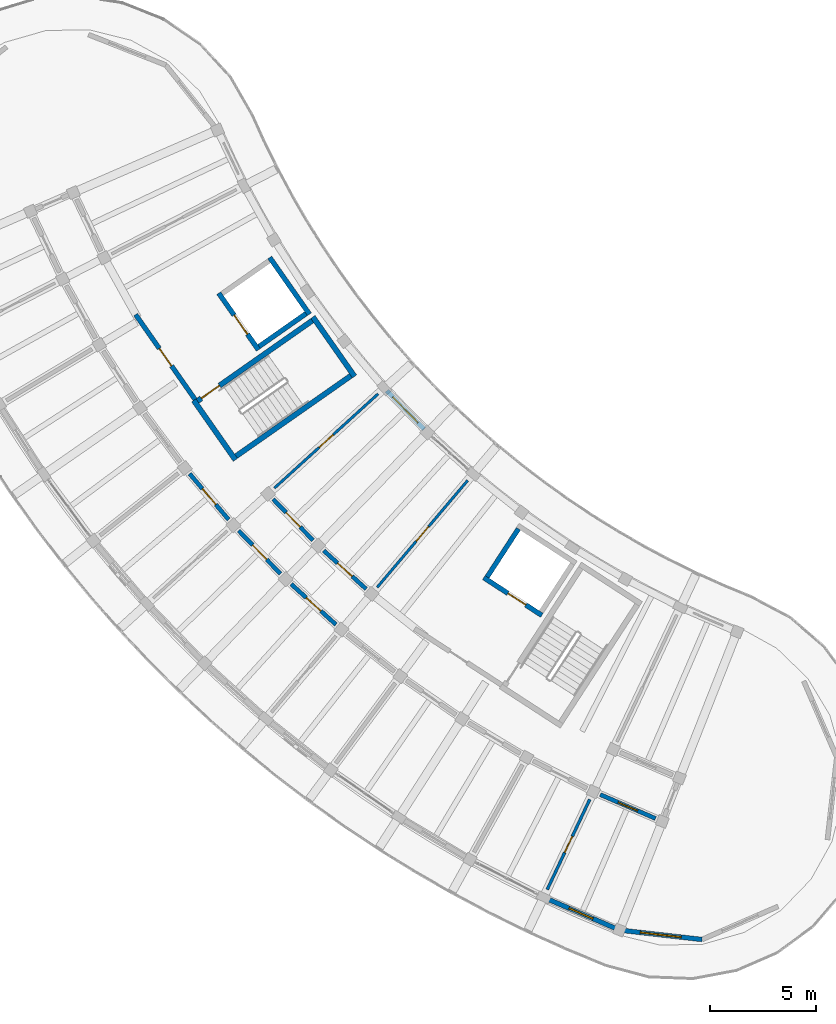
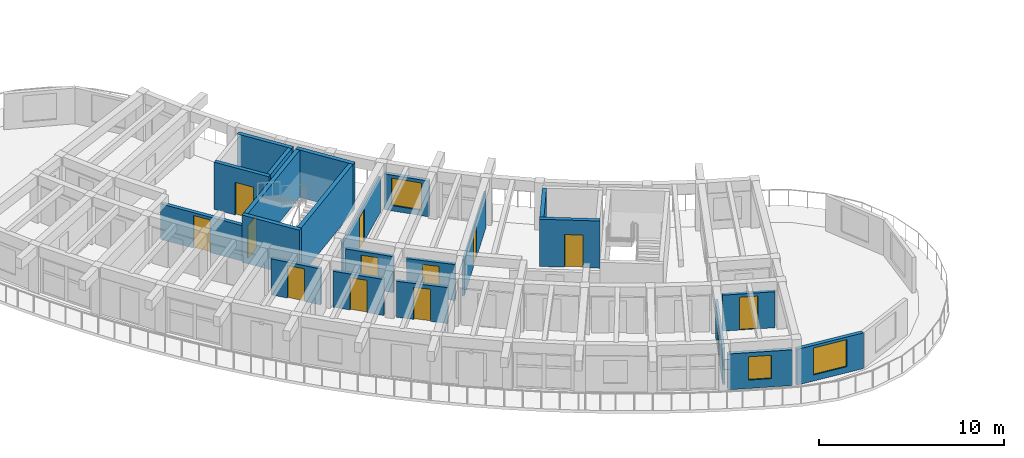
# One storey, part 34 of 62: 22 walls, 13 doors, 3 windows, 16 openings.
"""IFC4 building model written with IfcOpenShell, lengths in metres."""

from ifc_helpers import new_model, si_unit, direction, frame, frame_2d, origin, place, context, subcontext, project, spatial, rectangle, extrude, material, layer, layer_set, type_object, element, fill, save


model = new_model("IFC4")

# Units and contexts
model_context = context("Model", 3, precision=1e-05, world=origin(), true_north=direction((0.0, 1.0)))
body_context = subcontext(model_context, "Body", "Model", "MODEL_VIEW")
ifc_project = project(units=[si_unit("LENGTHUNIT", "METRE"), si_unit("AREAUNIT", "SQUARE_METRE"), si_unit("VOLUMEUNIT", "CUBIC_METRE"), si_unit("PLANEANGLEUNIT", "RADIAN"), si_unit("MASSUNIT", "GRAM", prefix="KILO")], contexts=[model_context])

# Site, building, storey
site_placement = place(None, origin())
site = spatial("IfcSite", under=ifc_project, at=site_placement, CompositionType="ELEMENT")
building_placement = place(site_placement, origin())
building = spatial("IfcBuilding", under=site, at=building_placement, Name="Tanwirah Colonnade Gardens", CompositionType="ELEMENT")
storey_placement = place(building_placement, frame((0.0, 0.0, 32.360107421875)))
storey = spatial("IfcBuildingStorey", under=building, at=storey_placement, Name="L09", CompositionType="ELEMENT", Elevation=32.360107421875)

# Wall, opening, window
ifc_material_1 = material(Name="Limestone architectural precast concrete C40/50", Category="masonry")
ifc_layer_1 = layer(ifc_material_1, 0.219970703125)
ifc_layer_set_1 = layer_set([ifc_layer_1], Name="Limestone architectural precast concrete C40/50")
wall_type_1 = type_object("IfcWallType", Name="EW-PC220", PredefinedType="SOLIDWALL", material=ifc_layer_set_1)
wall_1_placement = place(storey_placement, frame((32.212158203125, 34.494873046875, 0.0), z_axis=(0.0, 0.0, 1.0), x_axis=(0.696216978746, -0.717831399777, 0.0)))
wall_1 = element("IfcWall", 1, at=wall_1_placement, inside=storey, type_object=wall_type_1, Name="Block C L09 IN Precast Facade Wall 7", PredefinedType="SOLIDWALL", context=body_context, shape_type="SweptSolid", body=[
    extrude(rectangle(XDim=2.518798828125, YDim=0.219970703125, at=frame_2d((1.25927734375, 0.0))), origin(), (0.0, 0.0, 1.0), 2.35498046875),
])
opening_1_placement = place(wall_1_placement, frame((0.409423828125, 0.0, 0.35009765625)))
opening_1 = element("IfcOpeningElement", 2, at=opening_1_placement, cuts=wall_1, Name="Opening WIN-T12", PredefinedType="OPENING", context=body_context, shape_type="SweptSolid", body=[
    extrude(rectangle(XDim=1.699951171875, YDim=1.800048828125, at=frame_2d((0.85009765625, 0.89990234375))), frame((0.0, 0.119873046875, 0.0), z_axis=(0.0, -1.0, 0.0), x_axis=(1.0, 0.0, 0.0)), (0.0, 0.0, 1.0), 0.239990234375),
])
ifc_material_2 = material(Name="Thermally broken bronze aluminium and solar low-E double glazing", Category="aluminium")
window_type_1 = type_object("IfcWindowType", Name="WIN-T12", PartitioningType="TRIPLE_PANEL_VERTICAL", PredefinedType="WINDOW", material=ifc_material_2)
window_1_placement = place(opening_1_placement, origin())
window_1 = element("IfcWindow", 3, at=window_1_placement, inside=storey, type_object=window_type_1, Name="Facade window C-L09-IN-07", OverallHeight=1.800048828125, OverallWidth=1.699951171875, PartitioningType="SINGLE_PANEL", PredefinedType="WINDOW", context=body_context, shape_type="SweptSolid", body=[
    extrude(rectangle(XDim=1.699951171875, YDim=1.800048828125, at=frame_2d((0.85009765625, 0.89990234375))), frame((0.0, 0.030029296875, 0.0), z_axis=(0.0, -1.0, 0.0), x_axis=(1.0, 0.0, 0.0)), (0.0, 0.0, 1.0), 0.06005859375),
])
fill(opening_1, window_1)

wall_2_placement = place(storey_placement, frame((39.749267578125, 10.57421875, 0.0), z_axis=(0.0, 0.0, 1.0), x_axis=(0.917923514364, -0.396757384024, 0.0)))
wall_2 = element("IfcWall", 4, at=wall_2_placement, inside=storey, type_object=wall_type_1, Name="Block C L09 OUT Precast Facade Wall 13", PredefinedType="SOLIDWALL", context=body_context, shape_type="SweptSolid", body=[
    extrude(rectangle(XDim=3.5068359375, YDim=0.219970703125, at=frame_2d((1.75341796875, 0.0))), origin(), (0.0, 0.0, 1.0), 2.35498046875),
])
opening_2_placement = place(wall_2_placement, frame((1.13330078125, 0.0, 0.550048828125)))
opening_2 = element("IfcOpeningElement", 5, at=opening_2_placement, cuts=wall_2, Name="Opening WIN-U03", PredefinedType="OPENING", context=body_context, shape_type="SweptSolid", body=[
    extrude(rectangle(XDim=1.239990234375, YDim=1.534912109375, at=frame_2d((0.6201171875, 0.767578125))), frame((0.0, 0.119873046875, 0.0), z_axis=(0.0, -1.0, 0.0), x_axis=(1.0, 0.0, 0.0)), (0.0, 0.0, 1.0), 0.239990234375),
])
window_type_2 = type_object("IfcWindowType", Name="WIN-U03", PartitioningType="DOUBLE_PANEL_VERTICAL", PredefinedType="WINDOW", material=ifc_material_2)
window_2_placement = place(opening_2_placement, origin())
window_2 = element("IfcWindow", 6, at=window_2_placement, inside=storey, type_object=window_type_2, Name="Facade window C-L09-OUT-13", OverallHeight=1.534912109375, OverallWidth=1.239990234375, PartitioningType="SINGLE_PANEL", PredefinedType="WINDOW", context=body_context, shape_type="SweptSolid", body=[
    extrude(rectangle(XDim=1.239990234375, YDim=1.534912109375, at=frame_2d((0.6201171875, 0.767578125))), frame((0.0, 0.030029296875, 0.0), z_axis=(0.0, -1.0, 0.0), x_axis=(1.0, 0.0, 0.0)), (0.0, 0.0, 1.0), 0.06005859375),
])
fill(opening_2, window_2)

wall_3_placement = place(storey_placement, frame((47.057861328125, 8.651123046875, 0.0), z_axis=(0.0, 0.0, 1.0), x_axis=(-0.993565852845, 0.113255887533, 0.0)))
wall_3 = element("IfcWall", 7, at=wall_3_placement, inside=storey, type_object=wall_type_1, Name="Block C L09 END Rounded End Wall 5", PredefinedType="SOLIDWALL", context=body_context, shape_type="SweptSolid", body=[
    extrude(rectangle(XDim=3.908203125, YDim=0.219970703125, at=frame_2d((1.9541015625, 0.0))), origin(), (0.0, 0.0, 1.0), 2.35498046875),
])
opening_3_placement = place(wall_3_placement, frame((0.97900390625, 0.0, 0.39990234375)))
opening_3 = element("IfcOpeningElement", 8, at=opening_3_placement, cuts=wall_3, Name="Opening WIN-END2", PredefinedType="OPENING", context=body_context, shape_type="SweptSolid", body=[
    extrude(rectangle(XDim=1.949951171875, YDim=1.780029296875, at=frame_2d((0.97509765625, 0.89013671875))), frame((0.0, 0.119873046875, 0.0), z_axis=(0.0, -1.0, 0.0), x_axis=(1.0, 0.0, 0.0)), (0.0, 0.0, 1.0), 0.239990234375),
])
window_type_3 = type_object("IfcWindowType", Name="WIN-END2", PartitioningType="TRIPLE_PANEL_VERTICAL", PredefinedType="WINDOW", material=ifc_material_2)
window_3_placement = place(opening_3_placement, origin())
window_3 = element("IfcWindow", 9, at=window_3_placement, inside=storey, type_object=window_type_3, Name="Rounded corner window C-L09-END-5", OverallHeight=1.780029296875, OverallWidth=1.949951171875, PartitioningType="SINGLE_PANEL", PredefinedType="WINDOW", context=body_context, shape_type="SweptSolid", body=[
    extrude(rectangle(XDim=1.949951171875, YDim=1.780029296875, at=frame_2d((0.97509765625, 0.89013671875))), frame((0.0, 0.030029296875, 0.0), z_axis=(0.0, -1.0, 0.0), x_axis=(1.0, 0.0, 0.0)), (0.0, 0.0, 1.0), 0.06005859375),
])
fill(opening_3, window_3)

# Wall, opening, door
ifc_material_3 = material(Name="Precast concrete C40/50", Category="concrete")
ifc_layer_2 = layer(ifc_material_3, 0.195068359375)
ifc_layer_set_2 = layer_set([ifc_layer_2], Name="Precast concrete C40/50")
wall_type_2 = type_object("IfcWallType", Name="IW-CORR195", PredefinedType="PARTITIONING", material=ifc_layer_set_2)
wall_4_placement = place(storey_placement, frame((22.9267578125, 30.58642578125, 0.0), z_axis=(0.0, 0.0, 1.0), x_axis=(0.64778830669, -0.761820392032, 0.0)))
wall_4 = element("IfcWall", 10, at=wall_4_placement, inside=storey, type_object=wall_type_2, Name="Block C L09 OUT Corridor Wall 6", PredefinedType="PARTITIONING", context=body_context, shape_type="SweptSolid", body=[
    extrude(rectangle(XDim=2.8369140625, YDim=0.195068359375, at=frame_2d((1.41845703125, 0.0))), origin(), (0.0, 0.0, 1.0), 2.369873046875),
])
opening_4_placement = place(wall_4_placement, frame((0.93359375, 0.0, 0.0)))
opening_4 = element("IfcOpeningElement", 11, at=opening_4_placement, cuts=wall_4, Name="Opening L09-AD1609", PredefinedType="OPENING", context=body_context, shape_type="SweptSolid", body=[
    extrude(rectangle(XDim=0.969970703125, YDim=2.14990234375, at=frame_2d((0.48486328125, 1.074951171875))), frame((0.0, 0.107421875, 0.0), z_axis=(0.0, -1.0, 0.0), x_axis=(1.0, 0.0, 0.0)), (0.0, 0.0, 1.0), 0.215087890625),
])
ifc_material_4 = material(Name="Solid oak fire-resisting apartment entrance door")
door_type_1 = type_object("IfcDoorType", Name="ID-FLT097", OperationType="NOTDEFINED", PredefinedType="DOOR", material=ifc_material_4)
door_1_placement = place(opening_4_placement, origin())
door_1 = element("IfcDoor", 12, at=door_1_placement, inside=storey, type_object=door_type_1, Name="Apartment corridor door L09-AD1609", OperationType="SINGLE_SWING_RIGHT", OverallHeight=2.14990234375, OverallWidth=0.969970703125, PredefinedType="DOOR", context=body_context, shape_type="SweptSolid", body=[
    extrude(rectangle(XDim=0.969970703125, YDim=2.14990234375, at=frame_2d((0.48486328125, 1.074951171875))), frame((0.0, 0.02490234375, 0.0), z_axis=(0.0, -1.0, 0.0), x_axis=(1.0, 0.0, 0.0)), (0.0, 0.0, 1.0), 0.050048828125),
])
fill(opening_4, door_1)

wall_5_placement = place(storey_placement, frame((25.23486328125, 27.9072265625, 0.0), z_axis=(0.0, 0.0, 1.0), x_axis=(0.696223786753, -0.717824796701, 0.0)))
wall_5 = element("IfcWall", 13, at=wall_5_placement, inside=storey, type_object=wall_type_2, Name="Block C L09 OUT Corridor Wall 7", PredefinedType="PARTITIONING", context=body_context, shape_type="SweptSolid", body=[
    extrude(rectangle(XDim=2.8369140625, YDim=0.195068359375, at=frame_2d((1.41845703125, 0.0))), origin(), (0.0, 0.0, 1.0), 2.369873046875),
])
opening_5_placement = place(wall_5_placement, frame((0.943603515625, 0.0, 0.0)))
opening_5 = element("IfcOpeningElement", 14, at=opening_5_placement, cuts=wall_5, Name="Opening L09-AD1612", PredefinedType="OPENING", context=body_context, shape_type="SweptSolid", body=[
    extrude(rectangle(XDim=0.949951171875, YDim=2.1298828125, at=frame_2d((0.47509765625, 1.06494140625))), frame((0.0, 0.107421875, 0.0), z_axis=(0.0, -1.0, 0.0), x_axis=(1.0, 0.0, 0.0)), (0.0, 0.0, 1.0), 0.215087890625),
])
door_type_2 = type_object("IfcDoorType", Name="ID-FLT095", OperationType="NOTDEFINED", PredefinedType="DOOR", material=ifc_material_4)
door_2_placement = place(opening_5_placement, origin())
door_2 = element("IfcDoor", 15, at=door_2_placement, inside=storey, type_object=door_type_2, Name="Apartment corridor door L09-AD1612", OperationType="SINGLE_SWING_LEFT", OverallHeight=2.1298828125, OverallWidth=0.949951171875, PredefinedType="DOOR", context=body_context, shape_type="SweptSolid", body=[
    extrude(rectangle(XDim=0.949951171875, YDim=2.1298828125, at=frame_2d((0.47509765625, 1.06494140625))), frame((0.0, 0.02490234375, 0.0), z_axis=(0.0, -1.0, 0.0), x_axis=(1.0, 0.0, 0.0)), (0.0, 0.0, 1.0), 0.050048828125),
])
fill(opening_5, door_2)

wall_6_placement = place(storey_placement, frame((26.86328125, 29.386474609375, 0.0), z_axis=(0.0, 0.0, 1.0), x_axis=(0.696236443412, -0.717812520694, 0.0)))
wall_6 = element("IfcWall", 16, at=wall_6_placement, inside=storey, type_object=wall_type_2, Name="Block C L09 IN Corridor Wall 7", PredefinedType="PARTITIONING", context=body_context, shape_type="SweptSolid", body=[
    extrude(rectangle(XDim=2.693115234375, YDim=0.195068359375, at=frame_2d((1.3466796875, 0.0))), origin(), (0.0, 0.0, 1.0), 2.369873046875),
])
opening_6_placement = place(wall_6_placement, frame((0.87158203125, 0.0, 0.0)))
opening_6 = element("IfcOpeningElement", 17, at=opening_6_placement, cuts=wall_6, Name="Opening L09-AD1613", PredefinedType="OPENING", context=body_context, shape_type="SweptSolid", body=[
    extrude(rectangle(XDim=0.949951171875, YDim=2.1298828125, at=frame_2d((0.47509765625, 1.06494140625))), frame((0.0, 0.107421875, 0.0), z_axis=(0.0, -1.0, 0.0), x_axis=(1.0, 0.0, 0.0)), (0.0, 0.0, 1.0), 0.215087890625),
])
door_3_placement = place(opening_6_placement, origin())
door_3 = element("IfcDoor", 18, at=door_3_placement, inside=storey, type_object=door_type_2, Name="Apartment corridor door L09-AD1613", OperationType="SINGLE_SWING_RIGHT", OverallHeight=2.1298828125, OverallWidth=0.949951171875, PredefinedType="DOOR", context=body_context, shape_type="SweptSolid", body=[
    extrude(rectangle(XDim=0.949951171875, YDim=2.1298828125, at=frame_2d((0.47509765625, 1.06494140625))), frame((0.0, 0.02490234375, 0.0), z_axis=(0.0, -1.0, 0.0), x_axis=(1.0, 0.0, 0.0)), (0.0, 0.0, 1.0), 0.050048828125),
])
fill(opening_6, door_3)

wall_7_placement = place(storey_placement, frame((27.71337890625, 25.385009765625, 0.0), z_axis=(0.0, 0.0, 1.0), x_axis=(0.741631592147, -0.670807410163, 0.0)))
wall_7 = element("IfcWall", 19, at=wall_7_placement, inside=storey, type_object=wall_type_2, Name="Block C L09 OUT Corridor Wall 8", PredefinedType="PARTITIONING", context=body_context, shape_type="SweptSolid", body=[
    extrude(rectangle(XDim=2.8369140625, YDim=0.195068359375, at=frame_2d((1.41845703125, 0.0))), origin(), (0.0, 0.0, 1.0), 2.369873046875),
])
opening_7_placement = place(wall_7_placement, frame((0.95361328125, 0.0, 0.0)))
opening_7 = element("IfcOpeningElement", 20, at=opening_7_placement, cuts=wall_7, Name="Opening L09-AD1614", PredefinedType="OPENING", context=body_context, shape_type="SweptSolid", body=[
    extrude(rectangle(XDim=0.929931640625, YDim=2.1201171875, at=frame_2d((0.46484375, 1.06005859375))), frame((0.0, 0.107421875, 0.0), z_axis=(0.0, -1.0, 0.0), x_axis=(1.0, 0.0, 0.0)), (0.0, 0.0, 1.0), 0.215087890625),
])
door_type_3 = type_object("IfcDoorType", Name="ID-FLT093", OperationType="NOTDEFINED", PredefinedType="DOOR", material=ifc_material_4)
door_4_placement = place(opening_7_placement, origin())
door_4 = element("IfcDoor", 21, at=door_4_placement, inside=storey, type_object=door_type_3, Name="Apartment corridor door L09-AD1614", OperationType="SINGLE_SWING_RIGHT", OverallHeight=2.1201171875, OverallWidth=0.929931640625, PredefinedType="DOOR", context=body_context, shape_type="SweptSolid", body=[
    extrude(rectangle(XDim=0.929931640625, YDim=2.1201171875, at=frame_2d((0.46484375, 1.06005859375))), frame((0.0, 0.02490234375, 0.0), z_axis=(0.0, -1.0, 0.0), x_axis=(1.0, 0.0, 0.0)), (0.0, 0.0, 1.0), 0.050048828125),
])
fill(opening_7, door_4)

wall_8_placement = place(storey_placement, frame((29.241455078125, 26.967529296875, 0.0), z_axis=(0.0, 0.0, 1.0), x_axis=(0.74166462946, -0.670770882945, 0.0)))
wall_8 = element("IfcWall", 22, at=wall_8_placement, inside=storey, type_object=wall_type_2, Name="Block C L09 IN Corridor Wall 8", PredefinedType="PARTITIONING", context=body_context, shape_type="SweptSolid", body=[
    extrude(rectangle(XDim=2.693115234375, YDim=0.195068359375, at=frame_2d((1.3466796875, 0.0))), origin(), (0.0, 0.0, 1.0), 2.369873046875),
])
opening_8_placement = place(wall_8_placement, frame((0.881591796875, 0.0, 0.0)))
opening_8 = element("IfcOpeningElement", 23, at=opening_8_placement, cuts=wall_8, Name="Opening L09-AD1615", PredefinedType="OPENING", context=body_context, shape_type="SweptSolid", body=[
    extrude(rectangle(XDim=0.929931640625, YDim=2.1201171875, at=frame_2d((0.46484375, 1.06005859375))), frame((0.0, 0.107421875, 0.0), z_axis=(0.0, -1.0, 0.0), x_axis=(1.0, 0.0, 0.0)), (0.0, 0.0, 1.0), 0.215087890625),
])
door_5_placement = place(opening_8_placement, origin())
door_5 = element("IfcDoor", 24, at=door_5_placement, inside=storey, type_object=door_type_3, Name="Apartment corridor door L09-AD1615", OperationType="SINGLE_SWING_LEFT", OverallHeight=2.1201171875, OverallWidth=0.929931640625, PredefinedType="DOOR", context=body_context, shape_type="SweptSolid", body=[
    extrude(rectangle(XDim=0.929931640625, YDim=2.1201171875, at=frame_2d((0.46484375, 1.06005859375))), frame((0.0, 0.02490234375, 0.0), z_axis=(0.0, -1.0, 0.0), x_axis=(1.0, 0.0, 0.0)), (0.0, 0.0, 1.0), 0.050048828125),
])
fill(opening_8, door_5)

wall_9_placement = place(storey_placement, frame((42.26513671875, 15.475341796875, 0.0), z_axis=(0.0, 0.0, 1.0), x_axis=(0.917943439406, -0.396711282991, 0.0)))
wall_9 = element("IfcWall", 25, at=wall_9_placement, inside=storey, type_object=wall_type_2, Name="Block C L09 OUT Corridor Wall 13", PredefinedType="PARTITIONING", context=body_context, shape_type="SweptSolid", body=[
    extrude(rectangle(XDim=2.837158203125, YDim=0.195068359375, at=frame_2d((1.41845703125, 0.0))), origin(), (0.0, 0.0, 1.0), 2.369873046875),
])
opening_9_placement = place(wall_9_placement, frame((0.923583984375, 0.0, 0.0)))
opening_9 = element("IfcOpeningElement", 26, at=opening_9_placement, cuts=wall_9, Name="Opening L09-AD1624", PredefinedType="OPENING", context=body_context, shape_type="SweptSolid", body=[
    extrude(rectangle(XDim=0.989990234375, YDim=2.159912109375, at=frame_2d((0.4951171875, 1.080078125))), frame((0.0, 0.107421875, 0.0), z_axis=(0.0, -1.0, 0.0), x_axis=(1.0, 0.0, 0.0)), (0.0, 0.0, 1.0), 0.215087890625),
])
door_type_4 = type_object("IfcDoorType", Name="ID-FLT099", OperationType="NOTDEFINED", PredefinedType="DOOR", material=ifc_material_4)
door_6_placement = place(opening_9_placement, origin())
door_6 = element("IfcDoor", 27, at=door_6_placement, inside=storey, type_object=door_type_4, Name="Apartment corridor door L09-AD1624", OperationType="SINGLE_SWING_LEFT", OverallHeight=2.159912109375, OverallWidth=0.989990234375, PredefinedType="DOOR", context=body_context, shape_type="SweptSolid", body=[
    extrude(rectangle(XDim=0.989990234375, YDim=2.159912109375, at=frame_2d((0.4951171875, 1.080078125))), frame((0.0, 0.02490234375, 0.0), z_axis=(0.0, -1.0, 0.0), x_axis=(1.0, 0.0, 0.0)), (0.0, 0.0, 1.0), 0.050048828125),
])
fill(opening_9, door_6)

ifc_material_5 = material(Name="Autoclaved aerated masonry blockwork", Category="masonry")
ifc_layer_3 = layer(ifc_material_5, 0.219970703125)
ifc_layer_set_3 = layer_set([ifc_layer_3], Name="Autoclaved aerated masonry blockwork")
wall_type_3 = type_object("IfcWallType", Name="IW-FFL220", PredefinedType="PARTITIONING", material=ifc_layer_set_3)
wall_10_placement = place(storey_placement, frame((23.19482421875, 34.06787109375, 0.0), z_axis=(0.0, 0.0, 1.0), x_axis=(-0.573572687386, 0.819154669329, 0.0)))
wall_10 = element("IfcWall", 28, at=wall_10_placement, inside=storey, type_object=wall_type_3, Name="CORE-C1 L09 Enclosed Lobby Fire Wall", PredefinedType="PARTITIONING", context=body_context, shape_type="SweptSolid", body=[
    extrude(rectangle(XDim=4.900146484375, YDim=0.219970703125, at=frame_2d((2.4501953125, 0.0))), origin(), (0.0, 0.0, 1.0), 2.33984375),
])
opening_10_placement = place(wall_10_placement, frame((1.949951171875, 0.0, 0.0)))
opening_10 = element("IfcOpeningElement", 29, at=opening_10_placement, cuts=wall_10, Name="Opening L09-LD143", PredefinedType="OPENING", context=body_context, shape_type="SweptSolid", body=[
    extrude(rectangle(XDim=1.0, YDim=2.14990234375, at=frame_2d((0.5, 1.074951171875))), frame((0.0, 0.119873046875, 0.0), z_axis=(0.0, -1.0, 0.0), x_axis=(1.0, 0.0, 0.0)), (0.0, 0.0, 1.0), 0.239990234375),
])
ifc_material_6 = material(Name="Acoustic fire-resisting lobby door")
door_type_5 = type_object("IfcDoorType", Name="ID-FFL100", OperationType="NOTDEFINED", PredefinedType="DOOR", material=ifc_material_6)
door_7_placement = place(opening_10_placement, origin())
door_7 = element("IfcDoor", 30, at=door_7_placement, inside=storey, type_object=door_type_5, Name="CORE-C1 L09 Lobby Fire Door L09-LD143", OperationType="SINGLE_SWING_RIGHT", OverallHeight=2.14990234375, OverallWidth=1.0, PredefinedType="DOOR", context=body_context, shape_type="SweptSolid", body=[
    extrude(rectangle(XDim=1.0, YDim=2.14990234375, at=frame_2d((0.5, 1.074951171875))), frame((0.0, 0.02490234375, 0.0), z_axis=(0.0, -1.0, 0.0), x_axis=(1.0, 0.0, 0.0)), (0.0, 0.0, 1.0), 0.050048828125),
])
fill(opening_10, door_7)

ifc_material_7 = material(Name="Moisture-resistant gypsum stud partition")
ifc_layer_4 = layer(ifc_material_7, 0.125)
ifc_layer_set_4 = layer_set([ifc_layer_4], Name="Moisture-resistant gypsum stud partition")
wall_type_4 = type_object("IfcWallType", Name="IW-INT125", PredefinedType="PARTITIONING", material=ifc_layer_set_4)
wall_11_placement = place(storey_placement, frame((31.80126953125, 34.34423828125, 0.0), z_axis=(0.0, 0.0, 1.0), x_axis=(-0.74023124711, -0.672352363573, 0.0)))
wall_11 = element("IfcWall", 31, at=wall_11_placement, inside=storey, type_object=wall_type_4, Name="Block C L09 Inner Radial Partition 6", PredefinedType="PARTITIONING", context=body_context, shape_type="SweptSolid", body=[
    extrude(rectangle(XDim=6.599853515625, YDim=0.125, at=frame_2d((3.2998046875, 0.0))), origin(), (0.0, 0.0, 1.0), 2.369873046875),
])
opening_11_placement = place(wall_11_placement, frame((2.85498046875, 0.0, 0.0)))
opening_11 = element("IfcOpeningElement", 32, at=opening_11_placement, cuts=wall_11, Name="Opening L09-RD1611", PredefinedType="OPENING", context=body_context, shape_type="SweptSolid", body=[
    extrude(rectangle(XDim=0.889892578125, YDim=2.10009765625, at=frame_2d((0.44482421875, 1.050048828125))), frame((0.0, 0.072509765625, 0.0), z_axis=(0.0, -1.0, 0.0), x_axis=(1.0, 0.0, 0.0)), (0.0, 0.0, 1.0), 0.14501953125),
])
ifc_material_8 = material(Name="Painted hardwood bedroom door", Category="wood")
door_type_6 = type_object("IfcDoorType", Name="ID-RM089", OperationType="NOTDEFINED", PredefinedType="DOOR", material=ifc_material_8)
door_8_placement = place(opening_11_placement, origin())
door_8 = element("IfcDoor", 33, at=door_8_placement, inside=storey, type_object=door_type_6, Name="Internal apartment door L09-RD1611", OperationType="SINGLE_SWING_LEFT", OverallHeight=2.10009765625, OverallWidth=0.889892578125, PredefinedType="DOOR", context=body_context, shape_type="SweptSolid", body=[
    extrude(rectangle(XDim=0.889892578125, YDim=2.10009765625, at=frame_2d((0.44482421875, 1.050048828125))), frame((0.0, 0.02490234375, 0.0), z_axis=(0.0, -1.0, 0.0), x_axis=(1.0, 0.0, 0.0)), (0.0, 0.0, 1.0), 0.050048828125),
])
fill(opening_11, door_8)

wall_12_placement = place(storey_placement, frame((36.021240234375, 30.26904296875, 0.0), z_axis=(0.0, 0.0, 1.0), x_axis=(-0.646121311019, -0.763234728932, 0.0)))
wall_12 = element("IfcWall", 34, at=wall_12_placement, inside=storey, type_object=wall_type_4, Name="Block C L09 Inner Radial Partition 8", PredefinedType="PARTITIONING", context=body_context, shape_type="SweptSolid", body=[
    extrude(rectangle(XDim=6.60009765625, YDim=0.125, at=frame_2d((3.300048828125, 0.0))), origin(), (0.0, 0.0, 1.0), 2.369873046875),
])
opening_12_placement = place(wall_12_placement, frame((2.844970703125, 0.0, 0.0)))
opening_12 = element("IfcOpeningElement", 35, at=opening_12_placement, cuts=wall_12, Name="Opening L09-RD1617", PredefinedType="OPENING", context=body_context, shape_type="SweptSolid", body=[
    extrude(rectangle(XDim=0.909912109375, YDim=2.10009765625, at=frame_2d((0.455078125, 1.050048828125))), frame((0.0, 0.072509765625, 0.0), z_axis=(0.0, -1.0, 0.0), x_axis=(1.0, 0.0, 0.0)), (0.0, 0.0, 1.0), 0.14501953125),
])
ifc_material_9 = material(Name="Painted hardwood internal room door", Category="wood")
door_type_7 = type_object("IfcDoorType", Name="ID-RM091", OperationType="NOTDEFINED", PredefinedType="DOOR", material=ifc_material_9)
door_9_placement = place(opening_12_placement, origin())
door_9 = element("IfcDoor", 36, at=door_9_placement, inside=storey, type_object=door_type_7, Name="Internal apartment door L09-RD1617", OperationType="SINGLE_SWING_LEFT", OverallHeight=2.10009765625, OverallWidth=0.909912109375, PredefinedType="DOOR", context=body_context, shape_type="SweptSolid", body=[
    extrude(rectangle(XDim=0.909912109375, YDim=2.10009765625, at=frame_2d((0.455078125, 1.050048828125))), frame((0.0, 0.02490234375, 0.0), z_axis=(0.0, -1.0, 0.0), x_axis=(1.0, 0.0, 0.0)), (0.0, 0.0, 1.0), 0.050048828125),
])
fill(opening_12, door_9)

ifc_material_10 = material(Name="Water-resistant acoustic plumbing partition")
ifc_layer_5 = layer(ifc_material_10, 0.139892578125)
ifc_layer_set_5 = layer_set([ifc_layer_5], Name="Water-resistant acoustic plumbing partition")
wall_type_5 = type_object("IfcWallType", Name="IW-WET140", PredefinedType="PLUMBINGWALL", material=ifc_layer_set_5)
wall_13_placement = place(storey_placement, frame((41.7734375, 15.25244140625, 0.0), z_axis=(0.0, 0.0, 1.0), x_axis=(-0.426567365945, -0.904455793453, 0.0)))
wall_13 = element("IfcWall", 37, at=wall_13_placement, inside=storey, type_object=wall_type_5, Name="Block C L09 Radial Partition 12", PredefinedType="PLUMBINGWALL", context=body_context, shape_type="SweptSolid", body=[
    extrude(rectangle(XDim=4.699951171875, YDim=0.139892578125, at=frame_2d((2.35009765625, 0.0))), origin(), (0.0, 0.0, 1.0), 2.369873046875),
])
opening_13_placement = place(wall_13_placement, frame((1.925048828125, 0.0, 0.0)))
opening_13 = element("IfcOpeningElement", 38, at=opening_13_placement, cuts=wall_13, Name="Opening L09-RD1622", PredefinedType="OPENING", context=body_context, shape_type="SweptSolid", body=[
    extrude(rectangle(XDim=0.85009765625, YDim=2.050048828125, at=frame_2d((0.425048828125, 1.02490234375))), frame((0.0, 0.079833984375, 0.0), z_axis=(0.0, -1.0, 0.0), x_axis=(1.0, 0.0, 0.0)), (0.0, 0.0, 1.0), 0.159912109375),
])
ifc_material_11 = material(Name="Moisture-resistant en-suite door")
door_type_8 = type_object("IfcDoorType", Name="ID-WET085", OperationType="NOTDEFINED", PredefinedType="DOOR", material=ifc_material_11)
door_10_placement = place(opening_13_placement, origin())
door_10 = element("IfcDoor", 39, at=door_10_placement, inside=storey, type_object=door_type_8, Name="Internal apartment door L09-RD1622", OperationType="SINGLE_SWING_RIGHT", OverallHeight=2.050048828125, OverallWidth=0.85009765625, PredefinedType="DOOR", context=body_context, shape_type="SweptSolid", body=[
    extrude(rectangle(XDim=0.85009765625, YDim=2.050048828125, at=frame_2d((0.425048828125, 1.02490234375))), frame((0.0, 0.02490234375, 0.0), z_axis=(0.0, -1.0, 0.0), x_axis=(1.0, 0.0, 0.0)), (0.0, 0.0, 1.0), 0.050048828125),
])
fill(opening_13, door_10)

# Walls
ifc_material_12 = material(Name="Concrete C45/55", Category="concrete")
ifc_layer_6 = layer(ifc_material_12, 0.25)
ifc_layer_set_6 = layer_set([ifc_layer_6], Name="Concrete C45/55")
wall_type_6 = type_object("IfcWallType", Name="SW-CORE250", PredefinedType="SHEAR", material=ifc_layer_set_6)
wall_14_placement = place(storey_placement, frame((25.1142578125, 31.413818359375, 0.0), z_axis=(0.0, 0.0, 1.0), x_axis=(0.819141541656, 0.573591435374, 0.0)))
element("IfcWall", 40, at=wall_14_placement, inside=storey, type_object=wall_type_6, Name="CORE-C1 L09 Stair Shaft Shear Wall LEFT", PredefinedType="SHEAR", context=body_context, shape_type="SweptSolid", body=[
    extrude(rectangle(XDim=6.599853515625, YDim=0.25, at=frame_2d((3.2998046875, 0.0))), origin(), (0.0, 0.0, 1.0), 3.10986328125),
])
for number, where, z_axis, x_axis, name in (
    (41, (30.694580078125, 35.168701171875, 0.0), (0.0, 0.0, 1.0), (-0.573582112484, 0.819148069789, 0.0), "CORE-C1 L09 Stair Shaft Shear Wall FAR"),
    (42, (25.08349609375, 31.23974609375, 0.0), (0.0, 0.0, 1.0), (-0.573582112484, 0.819148069789, 0.0), "CORE-C1 L09 Stair Shaft Shear Wall NEAR"),
):
    element("IfcWall", number, at=place(storey_placement, frame(where, z_axis=z_axis, x_axis=x_axis)), inside=storey, type_object=wall_type_6, Name=name, PredefinedType="SHEAR", context=body_context, shape_type="SweptSolid", body=[
        extrude(rectangle(XDim=3.419921875, YDim=0.25, at=frame_2d((1.7099609375, 0.0))), origin(), (0.0, 0.0, 1.0), 3.10986328125),
    ])

# Wall, opening, door
wall_15_placement = place(storey_placement, frame((23.2958984375, 34.010498046875, 0.0), z_axis=(0.0, 0.0, 1.0), x_axis=(0.819153711596, 0.573574055182, 0.0)))
wall_15 = element("IfcWall", 43, at=wall_15_placement, inside=storey, type_object=wall_type_6, Name="CORE-C1 L09 Stair Shaft Shear Wall RIGHT", PredefinedType="SHEAR", context=body_context, shape_type="SweptSolid", body=[
    extrude(rectangle(XDim=6.60009765625, YDim=0.25, at=frame_2d((3.300048828125, 0.0))), origin(), (0.0, 0.0, 1.0), 3.10986328125),
])
opening_14_placement = place(wall_15_placement, frame((0.219970703125, 0.0, 0.0)))
opening_14 = element("IfcOpeningElement", 44, at=opening_14_placement, cuts=wall_15, Name="Opening L09-SD131", PredefinedType="OPENING", context=body_context, shape_type="SweptSolid", body=[
    extrude(rectangle(XDim=1.050048828125, YDim=2.14990234375, at=frame_2d((0.52490234375, 1.074951171875))), frame((0.0, 0.135009765625, 0.0), z_axis=(0.0, -1.0, 0.0), x_axis=(1.0, 0.0, 0.0)), (0.0, 0.0, 1.0), 0.27001953125),
])
ifc_material_13 = material(Name="Steel fire-resisting stair enclosure door", Category="steel")
door_type_9 = type_object("IfcDoorType", Name="ID-ST105", OperationType="NOTDEFINED", PredefinedType="DOOR", material=ifc_material_13)
door_11_placement = place(opening_14_placement, origin())
door_11 = element("IfcDoor", 45, at=door_11_placement, inside=storey, type_object=door_type_9, Name="CORE-C1 L09 Stair Fire Door L09-SD131", OperationType="SINGLE_SWING_RIGHT", OverallHeight=2.14990234375, OverallWidth=1.050048828125, PredefinedType="DOOR", context=body_context, shape_type="SweptSolid", body=[
    extrude(rectangle(XDim=1.050048828125, YDim=2.14990234375, at=frame_2d((0.52490234375, 1.074951171875))), frame((0.0, 0.02490234375, 0.0), z_axis=(0.0, -1.0, 0.0), x_axis=(1.0, 0.0, 0.0)), (0.0, 0.0, 1.0), 0.050048828125),
])
fill(opening_14, door_11)

ifc_layer_7 = layer(ifc_material_12, 0.22998046875)
ifc_layer_set_7 = layer_set([ifc_layer_7], Name="Concrete C45/55")
wall_type_7 = type_object("IfcWallType", Name="SW-LIFT230", PredefinedType="SHEAR", material=ifc_layer_set_7)
wall_16_placement = place(storey_placement, frame((26.1689453125, 36.419189453125, 0.0), z_axis=(0.0, 0.0, 1.0), x_axis=(-0.573582966431, 0.819147471839, 0.0)))
wall_16 = element("IfcWall", 46, at=wall_16_placement, inside=storey, type_object=wall_type_7, Name="CORE-C1 L09 Lift Shaft Wall FRONT", PredefinedType="SHEAR", context=body_context, shape_type="SweptSolid", body=[
    extrude(rectangle(XDim=3.260009765625, YDim=0.22998046875, at=frame_2d((1.6298828125, 0.0))), origin(), (0.0, 0.0, 1.0), 3.10986328125),
])
opening_15_placement = place(wall_16_placement, frame((0.89990234375, 0.0, 0.0)))
opening_15 = element("IfcOpeningElement", 47, at=opening_15_placement, cuts=wall_16, Name="Opening L09-LD-FL-C1", PredefinedType="OPENING", context=body_context, shape_type="SweptSolid", body=[
    extrude(rectangle(XDim=1.10009765625, YDim=2.14990234375, at=frame_2d((0.550048828125, 1.074951171875))), frame((0.0, 0.125, 0.0), z_axis=(0.0, -1.0, 0.0), x_axis=(1.0, 0.0, 0.0)), (0.0, 0.0, 1.0), 0.25),
])
ifc_material_14 = material(Name="Stainless steel sliding fire lift landing door", Category="steel")
door_type_10 = type_object("IfcDoorType", Name="LD-FF11", OperationType="DOUBLE_DOOR_SLIDING", PredefinedType="DOOR", material=ifc_material_14)
door_12_placement = place(opening_15_placement, origin())
door_12 = element("IfcDoor", 48, at=door_12_placement, inside=storey, type_object=door_type_10, Name="Lift FL-C1 L09 Sliding Landing Door", OperationType="DOUBLE_DOOR_SLIDING", OverallHeight=2.14990234375, OverallWidth=1.10009765625, PredefinedType="DOOR", context=body_context, shape_type="SweptSolid", body=[
    extrude(rectangle(XDim=1.10009765625, YDim=2.14990234375, at=frame_2d((0.550048828125, 1.074951171875))), frame((0.0, 0.02490234375, 0.0), z_axis=(0.0, -1.0, 0.0), x_axis=(1.0, 0.0, 0.0)), (0.0, 0.0, 1.0), 0.050048828125),
])
fill(opening_15, door_12)

# Walls
wall_17_placement = place(storey_placement, frame((28.569091796875, 38.099609375, 0.0), z_axis=(0.0, 0.0, 1.0), x_axis=(-0.573582966431, 0.819147471839, 0.0)))
element("IfcWall", 49, at=wall_17_placement, inside=storey, type_object=wall_type_7, Name="CORE-C1 L09 Lift Shaft Wall BACK", PredefinedType="SHEAR", context=body_context, shape_type="SweptSolid", body=[
    extrude(rectangle(XDim=3.260009765625, YDim=0.22998046875, at=frame_2d((1.6298828125, 0.0))), origin(), (0.0, 0.0, 1.0), 3.10986328125),
])
wall_18_placement = place(storey_placement, frame((26.197265625, 36.579345703125, 0.0), z_axis=(0.0, 0.0, 1.0), x_axis=(0.819159695432, 0.573565509231, 0.0)))
element("IfcWall", 50, at=wall_18_placement, inside=storey, type_object=wall_type_7, Name="CORE-C1 L09 Lift Shaft Wall SIDEA", PredefinedType="SHEAR", context=body_context, shape_type="SweptSolid", body=[
    extrude(rectangle(XDim=2.699951171875, YDim=0.22998046875, at=frame_2d((1.35009765625, 0.0))), origin(), (0.0, 0.0, 1.0), 3.10986328125),
])

# Wall, opening, door
wall_19_placement = place(storey_placement, frame((39.515869140625, 23.91748046875, 0.0), z_axis=(0.0, 0.0, 1.0), x_axis=(-0.838660840752, 0.544654013286, 0.0)))
wall_19 = element("IfcWall", 51, at=wall_19_placement, inside=storey, type_object=wall_type_7, Name="CORE-C2 L09 Lift Shaft Wall FRONT", PredefinedType="SHEAR", context=body_context, shape_type="SweptSolid", body=[
    extrude(rectangle(XDim=3.260009765625, YDim=0.22998046875, at=frame_2d((1.6298828125, 0.0))), origin(), (0.0, 0.0, 1.0), 3.10986328125),
])
opening_16_placement = place(wall_19_placement, frame((0.89990234375, 0.0, 0.0)))
opening_16 = element("IfcOpeningElement", 52, at=opening_16_placement, cuts=wall_19, Name="Opening L09-LD-PL-C2", PredefinedType="OPENING", context=body_context, shape_type="SweptSolid", body=[
    extrude(rectangle(XDim=1.0, YDim=2.14990234375, at=frame_2d((0.5, 1.074951171875))), frame((0.0, 0.125, 0.0), z_axis=(0.0, -1.0, 0.0), x_axis=(1.0, 0.0, 0.0)), (0.0, 0.0, 1.0), 0.25),
])
ifc_material_15 = material(Name="Bronze stainless steel sliding lift landing door", Category="steel")
door_type_11 = type_object("IfcDoorType", Name="LD-PS10", OperationType="DOUBLE_DOOR_SLIDING", PredefinedType="DOOR", material=ifc_material_15)
door_13_placement = place(opening_16_placement, origin())
door_13 = element("IfcDoor", 53, at=door_13_placement, inside=storey, type_object=door_type_11, Name="Lift PL-C2 L09 Sliding Landing Door", OperationType="DOUBLE_DOOR_SLIDING", OverallHeight=2.14990234375, OverallWidth=1.0, PredefinedType="DOOR", context=body_context, shape_type="SweptSolid", body=[
    extrude(rectangle(XDim=1.0, YDim=2.14990234375, at=frame_2d((0.5, 1.074951171875))), frame((0.0, 0.02490234375, 0.0), z_axis=(0.0, -1.0, 0.0), x_axis=(1.0, 0.0, 0.0)), (0.0, 0.0, 1.0), 0.050048828125),
])
fill(opening_16, door_13)

# Wall
wall_20_placement = place(storey_placement, frame((36.94091796875, 25.726806640625, 0.0), z_axis=(0.0, 0.0, 1.0), x_axis=(0.544622789439, 0.838681117722, 0.0)))
element("IfcWall", 54, at=wall_20_placement, inside=storey, type_object=wall_type_7, Name="CORE-C2 L09 Lift Shaft Wall SIDEB", PredefinedType="SHEAR", context=body_context, shape_type="SweptSolid", body=[
    extrude(rectangle(XDim=2.699951171875, YDim=0.22998046875, at=frame_2d((1.35009765625, 0.0))), origin(), (0.0, 0.0, 1.0), 3.10986328125),
])

save(model, "model.ifc")
